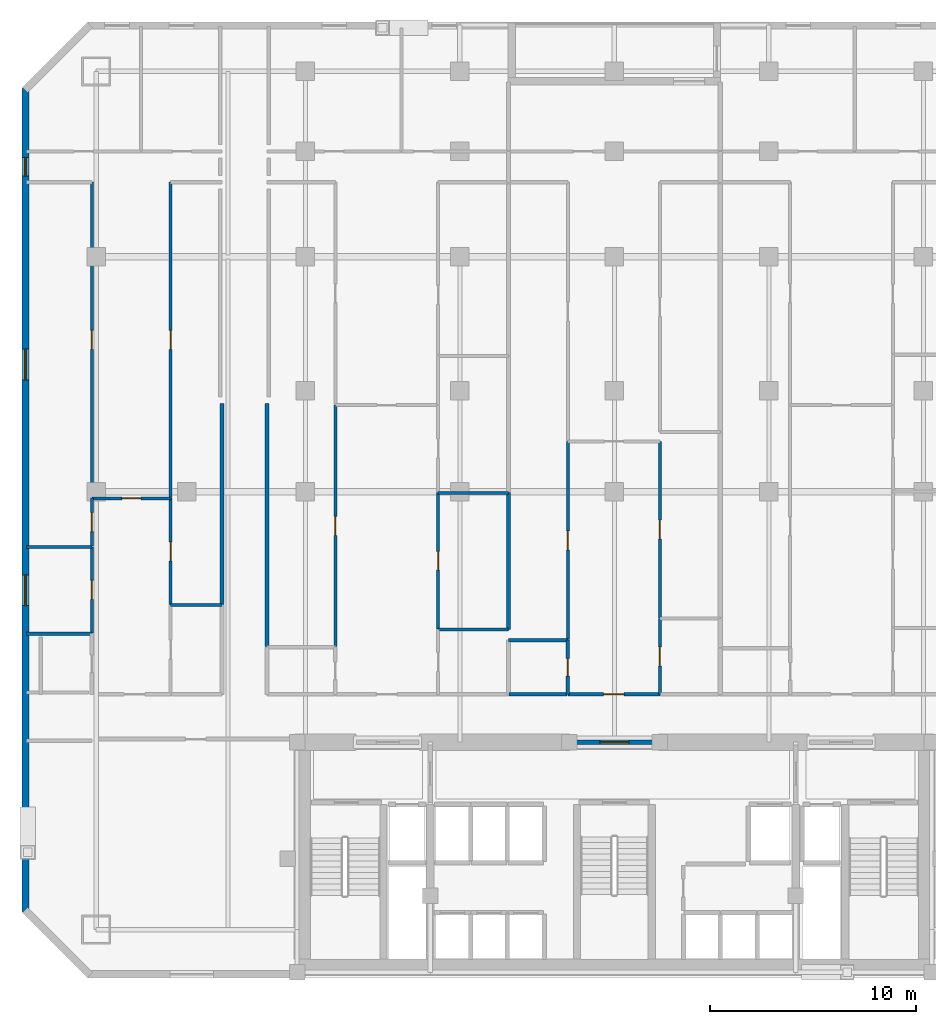
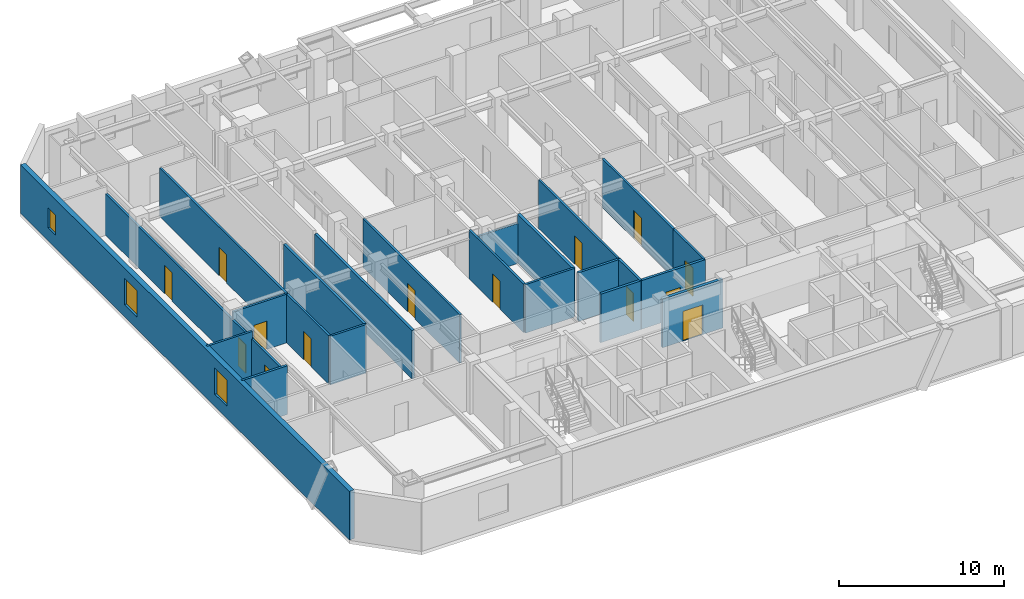
# One storey, part 4 of 10: 25 walls, 14 doors, 3 windows, 17 openings.
"""IFC4 building model written with IfcOpenShell, lengths in metres."""

from ifc_helpers import new_model, si_unit, direction, frame, frame_2d, origin, place, context, subcontext, project, spatial, rectangle, extrude, material, layer, layer_set, type_object, element, fill, save


model = new_model("IFC4")

# Units and contexts
model_context = context("Model", 3, precision=1e-05, world=origin(), true_north=direction((0.0, 1.0)))
body_context = subcontext(model_context, "Body", "Model", "MODEL_VIEW")
ifc_project = project(units=[si_unit("LENGTHUNIT", "METRE"), si_unit("AREAUNIT", "SQUARE_METRE"), si_unit("VOLUMEUNIT", "CUBIC_METRE"), si_unit("PLANEANGLEUNIT", "RADIAN"), si_unit("MASSUNIT", "GRAM", prefix="KILO")], contexts=[model_context])

# Site, building, storey
site_placement = place(None, origin())
site = spatial("IfcSite", under=ifc_project, at=site_placement, CompositionType="ELEMENT")
building_placement = place(site_placement, origin())
building = spatial("IfcBuilding", under=site, at=building_placement, Name="Ventersveld Concourse Tower", CompositionType="ELEMENT")
storey_placement = place(building_placement, frame((0.0, 0.0, 49.050048828125)))
storey = spatial("IfcBuildingStorey", under=building, at=storey_placement, Name="L11", CompositionType="ELEMENT", Elevation=49.050048828125)

# Walls
ifc_material_1 = material(Name="Fire-rated autoclaved aerated masonry blockwork", Category="masonry")
ifc_layer_1 = layer(ifc_material_1, 0.179931640625)
ifc_layer_set_1 = layer_set([ifc_layer_1], Name="Fire-rated autoclaved aerated masonry blockwork")
wall_type_1 = type_object("IfcWallType", Name="WL-CORR-180", PredefinedType="PARTITIONING", material=ifc_layer_set_1)
wall_1_placement = place(storey_placement, frame((9.7099609375, 18.1357421875, 0.0), z_axis=(0.0, 0.0, 1.0), x_axis=(0.0, 1.0, 0.0)))
element("IfcWall", 1, at=wall_1_placement, inside=storey, type_object=wall_type_1, Name="L11 Interior Partition SP-L11-COR-SP-L11-11NW-DENR", PredefinedType="PARTITIONING", context=body_context, shape_type="SweptSolid", body=[
    extrude(rectangle(XDim=9.75927734375, YDim=0.179931640625, at=frame_2d((4.879638671875, 0.0))), origin(), (0.0, 0.0, 1.0), 3.599853515625),
])
wall_2_placement = place(storey_placement, frame((11.889892578125, 16.085693359375, 0.0), z_axis=(0.0, 0.0, 1.0), x_axis=(0.0, 1.0, 0.0)))
element("IfcWall", 2, at=wall_2_placement, inside=storey, type_object=wall_type_1, Name="L11 Interior Partition SP-L11-COR-SP-L11-11CW-MEDL0", PredefinedType="PARTITIONING", context=body_context, shape_type="SweptSolid", body=[
    extrude(rectangle(XDim=11.809326171875, YDim=0.179931640625, at=frame_2d((5.90478515625, 0.0))), origin(), (0.0, 0.0, 1.0), 3.599853515625),
])

# Wall, opening, door
wall_3_placement = place(storey_placement, frame((26.490966796875, 13.77001953125, 0.0), z_axis=(0.0, 0.0, 1.0), x_axis=(1.0, 0.0, 0.0)))
wall_3 = element("IfcWall", 3, at=wall_3_placement, inside=storey, type_object=wall_type_1, Name="L11 Interior Partition SP-L11-COR-SP-L11-11CM-FOY", PredefinedType="PARTITIONING", context=body_context, shape_type="SweptSolid", body=[
    extrude(rectangle(XDim=4.47607421875, YDim=0.179931640625, at=frame_2d((2.238037109375, 0.0))), origin(), (0.0, 0.0, 1.0), 3.599853515625),
])
opening_1_placement = place(wall_3_placement, frame((1.738037109375, 0.0, 0.0)))
opening_1 = element("IfcOpeningElement", 4, at=opening_1_placement, cuts=wall_3, Name="Opening FD3", PredefinedType="OPENING", context=body_context, shape_type="SweptSolid", body=[
    extrude(rectangle(XDim=1.0, YDim=2.14990234375, at=frame_2d((0.5, 1.074951171875))), frame((0.0, 0.10009765625, 0.0), z_axis=(0.0, -1.0, 0.0), x_axis=(1.0, 0.0, 0.0)), (0.0, 0.0, 1.0), 0.199951171875),
])
ifc_material_2 = material(Name="Solid-core hardwood veneer timber", Category="wood")
door_type_1 = type_object("IfcDoorType", Name="DR-FLAT-100", OperationType="NOTDEFINED", PredefinedType="DOOR", material=ifc_material_2)
door_1_placement = place(opening_1_placement, origin())
door_1 = element("IfcDoor", 5, at=door_1_placement, inside=storey, type_object=door_type_1, Name="L11 Interior Door SP-L11-COR to SP-L11-11CM-FOY (FD-L11-0426)", OperationType="SINGLE_SWING_RIGHT", OverallHeight=2.14990234375, OverallWidth=1.0, PredefinedType="DOOR", context=body_context, shape_type="SweptSolid", body=[
    extrude(rectangle(XDim=1.0, YDim=2.14990234375, at=frame_2d((0.5, 1.074951171875))), frame((0.0, 0.02490234375, 0.0), z_axis=(0.0, -1.0, 0.0), x_axis=(1.0, 0.0, 0.0)), (0.0, 0.0, 1.0), 0.050048828125),
])
fill(opening_1, door_1)

# Walls
wall_4_placement = place(storey_placement, frame((23.64501953125, 13.77001953125, 0.0), z_axis=(0.0, 0.0, 1.0), x_axis=(1.0, 0.0, 0.0)))
element("IfcWall", 6, at=wall_4_placement, inside=storey, type_object=wall_type_1, Name="L11 Interior Partition SP-L11-COR-SP-L11-11CM-BATH", PredefinedType="PARTITIONING", context=body_context, shape_type="SweptSolid", body=[
    extrude(rectangle(XDim=2.81591796875, YDim=0.179931640625, at=frame_2d((1.407958984375, 0.0))), origin(), (0.0, 0.0, 1.0), 3.599853515625),
])
ifc_layer_2 = layer(ifc_material_1, 0.199951171875)
ifc_layer_set_2 = layer_set([ifc_layer_2], Name="Fire-rated autoclaved aerated masonry blockwork")
wall_type_2 = type_object("IfcWallType", Name="WL-DEMISE-200", PredefinedType="PARTITIONING", material=ifc_layer_set_2)
wall_5_placement = place(storey_placement, frame((23.610107421875, 16.909912109375, 0.0), z_axis=(0.0, 0.0, 1.0), x_axis=(0.0, 1.0, 0.0)))
element("IfcWall", 7, at=wall_5_placement, inside=storey, type_object=wall_type_2, Name="L11 Interior Partition SP-L11-11CW-DENR-SP-L11-11CM-DENL", PredefinedType="PARTITIONING", context=body_context, shape_type="SweptSolid", body=[
    extrude(rectangle(XDim=6.642822265625, YDim=0.199951171875, at=frame_2d((3.3212890625, 0.0))), origin(), (0.0, 0.0, 1.0), 3.599853515625),
])

# Wall, opening, door
ifc_layer_3 = layer(ifc_material_1, 0.219970703125)
ifc_layer_set_3 = layer_set([ifc_layer_3], Name="Fire-rated autoclaved aerated masonry blockwork")
wall_type_3 = type_object("IfcWallType", Name="WL-HOIST-220", PredefinedType="SOLIDWALL", material=ifc_layer_set_3)
wall_6_placement = place(storey_placement, frame((26.6298828125, 11.449951171875, 0.0), z_axis=(0.0, 0.0, 1.0), x_axis=(1.0, 0.0, 0.0)))
wall_6 = element("IfcWall", 8, at=wall_6_placement, inside=storey, type_object=wall_type_3, Name="L11 Core North Fire Portal PLOB-OUT", PredefinedType="SOLIDWALL", context=body_context, shape_type="SweptSolid", body=[
    extrude(rectangle(XDim=4.240234375, YDim=0.219970703125, at=frame_2d((2.1201171875, 0.0))), origin(), (0.0, 0.0, 1.0), 3.599853515625),
])
opening_2_placement = place(wall_6_placement, frame((1.419921875, 0.0, 0.0)))
opening_2 = element("IfcOpeningElement", 9, at=opening_2_placement, cuts=wall_6, Name="Opening FD4", PredefinedType="OPENING", context=body_context, shape_type="SweptSolid", body=[
    extrude(rectangle(XDim=1.39990234375, YDim=2.199951171875, at=frame_2d((0.699951171875, 1.10009765625))), frame((0.0, 0.1201171875, 0.0), z_axis=(0.0, -1.0, 0.0), x_axis=(1.0, 0.0, 0.0)), (0.0, 0.0, 1.0), 0.239990234375),
])
ifc_material_3 = material(Name="Galvanised painted steel", Category="steel")
door_type_2 = type_object("IfcDoorType", Name="DR-PLANT-140", OperationType="DOUBLE_DOOR_SINGLE_SWING", PredefinedType="DOOR", material=ifc_material_3)
door_2_placement = place(opening_2_placement, origin())
door_2 = element("IfcDoor", 10, at=door_2_placement, inside=storey, type_object=door_type_2, Name="L11 Core Lobby Fire Door PLOB-OUT (FD-L11-0417)", OperationType="DOUBLE_DOOR_SINGLE_SWING", OverallHeight=2.199951171875, OverallWidth=1.39990234375, PredefinedType="DOOR", context=body_context, shape_type="SweptSolid", body=[
    extrude(rectangle(XDim=1.39990234375, YDim=2.199951171875, at=frame_2d((0.699951171875, 1.10009765625))), frame((0.0, 0.02490234375, 0.0), z_axis=(0.0, -1.0, 0.0), x_axis=(1.0, 0.0, 0.0)), (0.0, 0.0, 1.0), 0.050048828125),
])
fill(opening_2, door_2)

ifc_material_4 = material(Name="Autoclaved aerated masonry blockwork", Category="masonry")
ifc_layer_4 = layer(ifc_material_4, 0.14990234375)
ifc_layer_set_4 = layer_set([ifc_layer_4], Name="Autoclaved aerated masonry blockwork")
wall_type_4 = type_object("IfcWallType", Name="WL-INT-150", PredefinedType="PARTITIONING", material=ifc_layer_set_4)
wall_7_placement = place(storey_placement, frame((3.39013671875, 23.2822265625, 0.0), z_axis=(0.0, 0.0, 1.0), x_axis=(1.0, 0.0, 0.0)))
wall_7 = element("IfcWall", 11, at=wall_7_placement, inside=storey, type_object=wall_type_4, Name="L11 Interior Partition SP-L11-11NW-FOY-SP-L11-11NW-LIV", PredefinedType="PARTITIONING", context=body_context, shape_type="SweptSolid", body=[
    extrude(rectangle(XDim=3.83203125, YDim=0.14990234375, at=frame_2d((1.916015625, 0.0))), origin(), (0.0, 0.0, 1.0), 3.599853515625),
])
opening_3_placement = place(wall_7_placement, frame((1.4560546875, 0.0, 0.0)))
opening_3 = element("IfcOpeningElement", 12, at=opening_3_placement, cuts=wall_7, Name="Opening ID1", PredefinedType="OPENING", context=body_context, shape_type="SweptSolid", body=[
    extrude(rectangle(XDim=0.919921875, YDim=2.10009765625, at=frame_2d((0.4599609375, 1.050048828125))), frame((0.0, 0.0849609375, 0.0), z_axis=(0.0, -1.0, 0.0), x_axis=(1.0, 0.0, 0.0)), (0.0, 0.0, 1.0), 0.169921875),
])
door_type_3 = type_object("IfcDoorType", Name="DR-ROOM-092", OperationType="NOTDEFINED", PredefinedType="DOOR", material=ifc_material_2)
door_3_placement = place(opening_3_placement, origin())
door_3 = element("IfcDoor", 13, at=door_3_placement, inside=storey, type_object=door_type_3, Name="L11 Interior Door SP-L11-11NW-FOY to SP-L11-11NW-LIV (D-L11-0427)", OperationType="SINGLE_SWING_LEFT", OverallHeight=2.10009765625, OverallWidth=0.919921875, PredefinedType="DOOR", context=body_context, shape_type="SweptSolid", body=[
    extrude(rectangle(XDim=0.919921875, YDim=2.10009765625, at=frame_2d((0.4599609375, 1.050048828125))), frame((0.0, 0.02490234375, 0.0), z_axis=(0.0, -1.0, 0.0), x_axis=(1.0, 0.0, 0.0)), (0.0, 0.0, 1.0), 0.050048828125),
])
fill(opening_3, door_3)

wall_8_placement = place(storey_placement, frame((3.395263671875, 16.752197265625, 0.0), z_axis=(0.0, 0.0, 1.0), x_axis=(0.0, 1.0, 0.0)))
wall_8 = element("IfcWall", 14, at=wall_8_placement, inside=storey, type_object=wall_type_4, Name="L11 Interior Partition SP-L11-11NW-FOY-SP-L11-11NW-PANL0", PredefinedType="PARTITIONING", context=body_context, shape_type="SweptSolid", body=[
    extrude(rectangle(XDim=4.1748046875, YDim=0.14990234375, at=frame_2d((2.08740234375, 0.0))), origin(), (0.0, 0.0, 1.0), 3.055419921875),
])
opening_4_placement = place(wall_8_placement, frame((1.62744140625, 0.0, 0.0)))
opening_4 = element("IfcOpeningElement", 15, at=opening_4_placement, cuts=wall_8, Name="Opening ID1", PredefinedType="OPENING", context=body_context, shape_type="SweptSolid", body=[
    extrude(rectangle(XDim=0.919921875, YDim=2.10009765625, at=frame_2d((0.4599609375, 1.050048828125))), frame((0.0, 0.0849609375, 0.0), z_axis=(0.0, -1.0, 0.0), x_axis=(1.0, 0.0, 0.0)), (0.0, 0.0, 1.0), 0.169921875),
])
door_4_placement = place(opening_4_placement, origin())
door_4 = element("IfcDoor", 16, at=door_4_placement, inside=storey, type_object=door_type_3, Name="L11 Interior Door SP-L11-11NW-FOY to SP-L11-11NW-PANL0 (D-L11-0429)", OperationType="SINGLE_SWING_LEFT", OverallHeight=2.10009765625, OverallWidth=0.919921875, PredefinedType="DOOR", context=body_context, shape_type="SweptSolid", body=[
    extrude(rectangle(XDim=0.919921875, YDim=2.10009765625, at=frame_2d((0.4599609375, 1.050048828125))), frame((0.0, 0.02490234375, 0.0), z_axis=(0.0, -1.0, 0.0), x_axis=(1.0, 0.0, 0.0)), (0.0, 0.0, 1.0), 0.050048828125),
])
fill(opening_4, door_4)

wall_9_placement = place(storey_placement, frame((3.395263671875, 20.956787109375, 0.0), z_axis=(0.0, 0.0, 1.0), x_axis=(0.0, 1.0, 0.0)))
wall_9 = element("IfcWall", 17, at=wall_9_placement, inside=storey, type_object=wall_type_4, Name="L11 Interior Partition SP-L11-11NW-FOY-SP-L11-11NW-DENL", PredefinedType="PARTITIONING", context=body_context, shape_type="SweptSolid", body=[
    extrude(rectangle(XDim=2.330322265625, YDim=0.14990234375, at=frame_2d((1.1650390625, 0.0))), origin(), (0.0, 0.0, 1.0), 3.055419921875),
])
opening_5_placement = place(wall_9_placement, frame((0.705078125, 0.0, 0.0)))
opening_5 = element("IfcOpeningElement", 18, at=opening_5_placement, cuts=wall_9, Name="Opening ID1", PredefinedType="OPENING", context=body_context, shape_type="SweptSolid", body=[
    extrude(rectangle(XDim=0.919921875, YDim=2.10009765625, at=frame_2d((0.4599609375, 1.050048828125))), frame((0.0, 0.0849609375, 0.0), z_axis=(0.0, -1.0, 0.0), x_axis=(1.0, 0.0, 0.0)), (0.0, 0.0, 1.0), 0.169921875),
])
door_5_placement = place(opening_5_placement, origin())
door_5 = element("IfcDoor", 19, at=door_5_placement, inside=storey, type_object=door_type_3, Name="L11 Interior Door SP-L11-11NW-FOY to SP-L11-11NW-DENL (D-L11-0430)", OperationType="SINGLE_SWING_RIGHT", OverallHeight=2.10009765625, OverallWidth=0.919921875, PredefinedType="DOOR", context=body_context, shape_type="SweptSolid", body=[
    extrude(rectangle(XDim=0.919921875, YDim=2.10009765625, at=frame_2d((0.4599609375, 1.050048828125))), frame((0.0, 0.02490234375, 0.0), z_axis=(0.0, -1.0, 0.0), x_axis=(1.0, 0.0, 0.0)), (0.0, 0.0, 1.0), 0.050048828125),
])
fill(opening_5, door_5)

wall_10_placement = place(storey_placement, frame((7.21728515625, 18.1357421875, 0.0), z_axis=(0.0, 0.0, 1.0), x_axis=(0.0, 1.0, 0.0)))
wall_10 = element("IfcWall", 20, at=wall_10_placement, inside=storey, type_object=wall_type_4, Name="L11 Interior Partition SP-L11-11NW-FOY-SP-L11-11NW-DENR", PredefinedType="PARTITIONING", context=body_context, shape_type="SweptSolid", body=[
    extrude(rectangle(XDim=5.1513671875, YDim=0.14990234375, at=frame_2d((2.57568359375, 0.0))), origin(), (0.0, 0.0, 1.0), 3.599853515625),
])
opening_6_placement = place(wall_10_placement, frame((2.11572265625, 0.0, 0.0)))
opening_6 = element("IfcOpeningElement", 21, at=opening_6_placement, cuts=wall_10, Name="Opening ID1", PredefinedType="OPENING", context=body_context, shape_type="SweptSolid", body=[
    extrude(rectangle(XDim=0.919921875, YDim=2.10009765625, at=frame_2d((0.4599609375, 1.050048828125))), frame((0.0, 0.0849609375, 0.0), z_axis=(0.0, -1.0, 0.0), x_axis=(1.0, 0.0, 0.0)), (0.0, 0.0, 1.0), 0.169921875),
])
door_6_placement = place(opening_6_placement, origin())
door_6 = element("IfcDoor", 22, at=door_6_placement, inside=storey, type_object=door_type_3, Name="L11 Interior Door SP-L11-11NW-FOY to SP-L11-11NW-DENR (D-L11-0432)", OperationType="SINGLE_SWING_RIGHT", OverallHeight=2.10009765625, OverallWidth=0.919921875, PredefinedType="DOOR", context=body_context, shape_type="SweptSolid", body=[
    extrude(rectangle(XDim=0.919921875, YDim=2.10009765625, at=frame_2d((0.4599609375, 1.050048828125))), frame((0.0, 0.02490234375, 0.0), z_axis=(0.0, -1.0, 0.0), x_axis=(1.0, 0.0, 0.0)), (0.0, 0.0, 1.0), 0.050048828125),
])
fill(opening_6, door_6)

wall_11_placement = place(storey_placement, frame((3.395263671875, 23.317138671875, 0.0), z_axis=(0.0, 0.0, 1.0), x_axis=(0.0, 1.0, 0.0)))
wall_11 = element("IfcWall", 23, at=wall_11_placement, inside=storey, type_object=wall_type_4, Name="L11 Interior Partition SP-L11-11NW-LIV-SP-L11-11NW-DENL", PredefinedType="PARTITIONING", context=body_context, shape_type="SweptSolid", body=[
    extrude(rectangle(XDim=15.307861328125, YDim=0.14990234375, at=frame_2d((7.65380859375, 0.0))), origin(), (0.0, 0.0, 1.0), 3.055419921875),
])
opening_7_placement = place(wall_11_placement, frame((7.19384765625, 0.0, 0.0)))
opening_7 = element("IfcOpeningElement", 24, at=opening_7_placement, cuts=wall_11, Name="Opening ID1", PredefinedType="OPENING", context=body_context, shape_type="SweptSolid", body=[
    extrude(rectangle(XDim=0.919921875, YDim=2.10009765625, at=frame_2d((0.4599609375, 1.050048828125))), frame((0.0, 0.0849609375, 0.0), z_axis=(0.0, -1.0, 0.0), x_axis=(1.0, 0.0, 0.0)), (0.0, 0.0, 1.0), 0.169921875),
])
door_7_placement = place(opening_7_placement, origin())
door_7 = element("IfcDoor", 25, at=door_7_placement, inside=storey, type_object=door_type_3, Name="L11 Interior Door SP-L11-11NW-LIV to SP-L11-11NW-DENL (D-L11-0433)", OperationType="SINGLE_SWING_LEFT", OverallHeight=2.10009765625, OverallWidth=0.919921875, PredefinedType="DOOR", context=body_context, shape_type="SweptSolid", body=[
    extrude(rectangle(XDim=0.919921875, YDim=2.10009765625, at=frame_2d((0.4599609375, 1.050048828125))), frame((0.0, 0.02490234375, 0.0), z_axis=(0.0, -1.0, 0.0), x_axis=(1.0, 0.0, 0.0)), (0.0, 0.0, 1.0), 0.050048828125),
])
fill(opening_7, door_7)

wall_12_placement = place(storey_placement, frame((7.21728515625, 23.317138671875, 0.0), z_axis=(0.0, 0.0, 1.0), x_axis=(0.0, 1.0, 0.0)))
wall_12 = element("IfcWall", 26, at=wall_12_placement, inside=storey, type_object=wall_type_4, Name="L11 Interior Partition SP-L11-11NW-LIV-SP-L11-11NW-DENR", PredefinedType="PARTITIONING", context=body_context, shape_type="SweptSolid", body=[
    extrude(rectangle(XDim=15.307861328125, YDim=0.14990234375, at=frame_2d((7.65380859375, 0.0))), origin(), (0.0, 0.0, 1.0), 3.599853515625),
])
opening_8_placement = place(wall_12_placement, frame((7.19384765625, 0.0, 0.0)))
opening_8 = element("IfcOpeningElement", 27, at=opening_8_placement, cuts=wall_12, Name="Opening ID1", PredefinedType="OPENING", context=body_context, shape_type="SweptSolid", body=[
    extrude(rectangle(XDim=0.919921875, YDim=2.10009765625, at=frame_2d((0.4599609375, 1.050048828125))), frame((0.0, 0.0849609375, 0.0), z_axis=(0.0, -1.0, 0.0), x_axis=(1.0, 0.0, 0.0)), (0.0, 0.0, 1.0), 0.169921875),
])
door_8_placement = place(opening_8_placement, origin())
door_8 = element("IfcDoor", 28, at=door_8_placement, inside=storey, type_object=door_type_3, Name="L11 Interior Door SP-L11-11NW-LIV to SP-L11-11NW-DENR (D-L11-0434)", OperationType="SINGLE_SWING_RIGHT", OverallHeight=2.10009765625, OverallWidth=0.919921875, PredefinedType="DOOR", context=body_context, shape_type="SweptSolid", body=[
    extrude(rectangle(XDim=0.919921875, YDim=2.10009765625, at=frame_2d((0.4599609375, 1.050048828125))), frame((0.0, 0.02490234375, 0.0), z_axis=(0.0, -1.0, 0.0), x_axis=(1.0, 0.0, 0.0)), (0.0, 0.0, 1.0), 0.050048828125),
])
fill(opening_8, door_8)

# Walls
wall_13_placement = place(storey_placement, frame((0.2099609375, 20.921875, 0.0), z_axis=(0.0, 0.0, 1.0), x_axis=(1.0, 0.0, 0.0)))
element("IfcWall", 29, at=wall_13_placement, inside=storey, type_object=wall_type_4, Name="L11 Interior Partition SP-L11-11NW-PANL0-SP-L11-11NW-DENL", PredefinedType="PARTITIONING", context=body_context, shape_type="SweptSolid", body=[
    extrude(rectangle(XDim=3.190185546875, YDim=0.14990234375, at=frame_2d((1.59521484375, 0.0))), origin(), (0.0, 0.0, 1.0), 3.599853515625),
])
wall_14_placement = place(storey_placement, frame((7.212158203125, 18.100830078125, 0.0), z_axis=(0.0, 0.0, 1.0), x_axis=(1.0, 0.0, 0.0)))
element("IfcWall", 30, at=wall_14_placement, inside=storey, type_object=wall_type_4, Name="L11 Interior Partition SP-L11-11NW-KIT-SP-L11-11NW-DENR", PredefinedType="PARTITIONING", context=body_context, shape_type="SweptSolid", body=[
    extrude(rectangle(XDim=2.5029296875, YDim=0.14990234375, at=frame_2d((1.25146484375, 0.0))), origin(), (0.0, 0.0, 1.0), 3.599853515625),
])

# Wall, opening, door
wall_15_placement = place(storey_placement, frame((15.2119140625, 16.085693359375, 0.0), z_axis=(0.0, 0.0, 1.0), x_axis=(0.0, 1.0, 0.0)))
wall_15 = element("IfcWall", 31, at=wall_15_placement, inside=storey, type_object=wall_type_4, Name="L11 Interior Partition SP-L11-11CW-FOY-SP-L11-11CW-MEDL0", PredefinedType="PARTITIONING", context=body_context, shape_type="SweptSolid", body=[
    extrude(rectangle(XDim=11.72607421875, YDim=0.14990234375, at=frame_2d((5.863037109375, 0.0))), origin(), (0.0, 0.0, 1.0), 3.599853515625),
])
opening_9_placement = place(wall_15_placement, frame((5.403076171875, 0.0, 0.0)))
opening_9 = element("IfcOpeningElement", 32, at=opening_9_placement, cuts=wall_15, Name="Opening ID1", PredefinedType="OPENING", context=body_context, shape_type="SweptSolid", body=[
    extrude(rectangle(XDim=0.919921875, YDim=2.10009765625, at=frame_2d((0.4599609375, 1.050048828125))), frame((0.0, 0.0849609375, 0.0), z_axis=(0.0, -1.0, 0.0), x_axis=(1.0, 0.0, 0.0)), (0.0, 0.0, 1.0), 0.169921875),
])
door_9_placement = place(opening_9_placement, origin())
door_9 = element("IfcDoor", 33, at=door_9_placement, inside=storey, type_object=door_type_3, Name="L11 Interior Door SP-L11-11CW-FOY to SP-L11-11CW-MEDL0 (D-L11-0449)", OperationType="SINGLE_SWING_LEFT", OverallHeight=2.10009765625, OverallWidth=0.919921875, PredefinedType="DOOR", context=body_context, shape_type="SweptSolid", body=[
    extrude(rectangle(XDim=0.919921875, YDim=2.10009765625, at=frame_2d((0.4599609375, 1.050048828125))), frame((0.0, 0.02490234375, 0.0), z_axis=(0.0, -1.0, 0.0), x_axis=(1.0, 0.0, 0.0)), (0.0, 0.0, 1.0), 0.050048828125),
])
fill(opening_9, door_9)

wall_16_placement = place(storey_placement, frame((20.19189453125, 16.94970703125, 0.0), z_axis=(0.0, 0.0, 1.0), x_axis=(0.0, 1.0, 0.0)))
wall_16 = element("IfcWall", 34, at=wall_16_placement, inside=storey, type_object=wall_type_4, Name="L11 Interior Partition SP-L11-11CW-FOY-SP-L11-11CW-DENR", PredefinedType="PARTITIONING", context=body_context, shape_type="SweptSolid", body=[
    extrude(rectangle(XDim=6.60302734375, YDim=0.14990234375, at=frame_2d((3.301513671875, 0.0))), origin(), (0.0, 0.0, 1.0), 3.599853515625),
])
opening_10_placement = place(wall_16_placement, frame((2.841552734375, 0.0, 0.0)))
opening_10 = element("IfcOpeningElement", 35, at=opening_10_placement, cuts=wall_16, Name="Opening ID1", PredefinedType="OPENING", context=body_context, shape_type="SweptSolid", body=[
    extrude(rectangle(XDim=0.919921875, YDim=2.10009765625, at=frame_2d((0.4599609375, 1.050048828125))), frame((0.0, 0.0849609375, 0.0), z_axis=(0.0, -1.0, 0.0), x_axis=(1.0, 0.0, 0.0)), (0.0, 0.0, 1.0), 0.169921875),
])
door_10_placement = place(opening_10_placement, origin())
door_10 = element("IfcDoor", 36, at=door_10_placement, inside=storey, type_object=door_type_3, Name="L11 Interior Door SP-L11-11CW-FOY to SP-L11-11CW-DENR (D-L11-0451)", OperationType="SINGLE_SWING_LEFT", OverallHeight=2.10009765625, OverallWidth=0.919921875, PredefinedType="DOOR", context=body_context, shape_type="SweptSolid", body=[
    extrude(rectangle(XDim=0.919921875, YDim=2.10009765625, at=frame_2d((0.4599609375, 1.050048828125))), frame((0.0, 0.02490234375, 0.0), z_axis=(0.0, -1.0, 0.0), x_axis=(1.0, 0.0, 0.0)), (0.0, 0.0, 1.0), 0.050048828125),
])
fill(opening_10, door_10)

# Walls
wall_17_placement = place(storey_placement, frame((20.18701171875, 16.914794921875, 0.0), z_axis=(0.0, 0.0, 1.0), x_axis=(1.0, 0.0, 0.0)))
element("IfcWall", 37, at=wall_17_placement, inside=storey, type_object=wall_type_4, Name="L11 Interior Partition SP-L11-11CW-KIT-SP-L11-11CW-DENR", PredefinedType="PARTITIONING", context=body_context, shape_type="SweptSolid", body=[
    extrude(rectangle(XDim=3.427978515625, YDim=0.14990234375, at=frame_2d((1.7138671875, 0.0))), origin(), (0.0, 0.0, 1.0), 3.599853515625),
])
wall_18_placement = place(storey_placement, frame((20.18701171875, 23.547607421875, 0.0), z_axis=(0.0, 0.0, 1.0), x_axis=(1.0, 0.0, 0.0)))
element("IfcWall", 38, at=wall_18_placement, inside=storey, type_object=wall_type_4, Name="L11 Interior Partition SP-L11-11CW-DENR-SP-L11-11CW-DENS", PredefinedType="PARTITIONING", context=body_context, shape_type="SweptSolid", body=[
    extrude(rectangle(XDim=3.427978515625, YDim=0.14990234375, at=frame_2d((1.7138671875, 0.0))), origin(), (0.0, 0.0, 1.0), 2.964111328125),
])

# Wall, opening, door
wall_19_placement = place(storey_placement, frame((26.49609375, 16.424072265625, 0.0), z_axis=(0.0, 0.0, 1.0), x_axis=(0.0, 1.0, 0.0)))
wall_19 = element("IfcWall", 39, at=wall_19_placement, inside=storey, type_object=wall_type_4, Name="L11 Interior Partition SP-L11-11CM-FOY-SP-L11-11CM-DENL", PredefinedType="PARTITIONING", context=body_context, shape_type="SweptSolid", body=[
    extrude(rectangle(XDim=9.6259765625, YDim=0.14990234375, at=frame_2d((4.81298828125, 0.0))), origin(), (0.0, 0.0, 1.0), 3.599853515625),
])
opening_11_placement = place(wall_19_placement, frame((4.35302734375, 0.0, 0.0)))
opening_11 = element("IfcOpeningElement", 40, at=opening_11_placement, cuts=wall_19, Name="Opening ID1", PredefinedType="OPENING", context=body_context, shape_type="SweptSolid", body=[
    extrude(rectangle(XDim=0.919921875, YDim=2.10009765625, at=frame_2d((0.4599609375, 1.050048828125))), frame((0.0, 0.0849609375, 0.0), z_axis=(0.0, -1.0, 0.0), x_axis=(1.0, 0.0, 0.0)), (0.0, 0.0, 1.0), 0.169921875),
])
door_11_placement = place(opening_11_placement, origin())
door_11 = element("IfcDoor", 41, at=door_11_placement, inside=storey, type_object=door_type_3, Name="L11 Interior Door SP-L11-11CM-FOY to SP-L11-11CM-DENL (D-L11-0471)", OperationType="SINGLE_SWING_LEFT", OverallHeight=2.10009765625, OverallWidth=0.919921875, PredefinedType="DOOR", context=body_context, shape_type="SweptSolid", body=[
    extrude(rectangle(XDim=0.919921875, YDim=2.10009765625, at=frame_2d((0.4599609375, 1.050048828125))), frame((0.0, 0.02490234375, 0.0), z_axis=(0.0, -1.0, 0.0), x_axis=(1.0, 0.0, 0.0)), (0.0, 0.0, 1.0), 0.050048828125),
])
fill(opening_11, door_11)

wall_20_placement = place(storey_placement, frame((30.9619140625, 13.764892578125, 0.0), z_axis=(0.0, 0.0, 1.0), x_axis=(0.0, 1.0, 0.0)))
wall_20 = element("IfcWall", 42, at=wall_20_placement, inside=storey, type_object=wall_type_4, Name="L11 Interior Partition SP-L11-11CM-FOY-SP-L11-11CM-KIT", PredefinedType="PARTITIONING", context=body_context, shape_type="SweptSolid", body=[
    extrude(rectangle(XDim=3.68359375, YDim=0.14990234375, at=frame_2d((1.841796875, 0.0))), origin(), (0.0, 0.0, 1.0), 3.599853515625),
])
opening_12_placement = place(wall_20_placement, frame((1.381591796875, 0.0, 0.0)))
opening_12 = element("IfcOpeningElement", 43, at=opening_12_placement, cuts=wall_20, Name="Opening ID1", PredefinedType="OPENING", context=body_context, shape_type="SweptSolid", body=[
    extrude(rectangle(XDim=0.919921875, YDim=2.10009765625, at=frame_2d((0.4599609375, 1.050048828125))), frame((0.0, 0.0849609375, 0.0), z_axis=(0.0, -1.0, 0.0), x_axis=(1.0, 0.0, 0.0)), (0.0, 0.0, 1.0), 0.169921875),
])
door_12_placement = place(opening_12_placement, origin())
door_12 = element("IfcDoor", 44, at=door_12_placement, inside=storey, type_object=door_type_3, Name="L11 Interior Door SP-L11-11CM-FOY to SP-L11-11CM-KIT (D-L11-0472)", OperationType="SINGLE_SWING_RIGHT", OverallHeight=2.10009765625, OverallWidth=0.919921875, PredefinedType="DOOR", context=body_context, shape_type="SweptSolid", body=[
    extrude(rectangle(XDim=0.919921875, YDim=2.10009765625, at=frame_2d((0.4599609375, 1.050048828125))), frame((0.0, 0.02490234375, 0.0), z_axis=(0.0, -1.0, 0.0), x_axis=(1.0, 0.0, 0.0)), (0.0, 0.0, 1.0), 0.050048828125),
])
fill(opening_12, door_12)

wall_21_placement = place(storey_placement, frame((30.9619140625, 17.478515625, 0.0), z_axis=(0.0, 0.0, 1.0), x_axis=(0.0, 1.0, 0.0)))
wall_21 = element("IfcWall", 45, at=wall_21_placement, inside=storey, type_object=wall_type_4, Name="L11 Interior Partition SP-L11-11CM-FOY-SP-L11-11CM-DENR", PredefinedType="PARTITIONING", context=body_context, shape_type="SweptSolid", body=[
    extrude(rectangle(XDim=8.571533203125, YDim=0.14990234375, at=frame_2d((4.28564453125, 0.0))), origin(), (0.0, 0.0, 1.0), 3.599853515625),
])
opening_13_placement = place(wall_21_placement, frame((3.82568359375, 0.0, 0.0)))
opening_13 = element("IfcOpeningElement", 46, at=opening_13_placement, cuts=wall_21, Name="Opening ID1", PredefinedType="OPENING", context=body_context, shape_type="SweptSolid", body=[
    extrude(rectangle(XDim=0.919921875, YDim=2.10009765625, at=frame_2d((0.4599609375, 1.050048828125))), frame((0.0, 0.0849609375, 0.0), z_axis=(0.0, -1.0, 0.0), x_axis=(1.0, 0.0, 0.0)), (0.0, 0.0, 1.0), 0.169921875),
])
door_13_placement = place(opening_13_placement, origin())
door_13 = element("IfcDoor", 47, at=door_13_placement, inside=storey, type_object=door_type_3, Name="L11 Interior Door SP-L11-11CM-FOY to SP-L11-11CM-DENR (D-L11-0473)", OperationType="SINGLE_SWING_LEFT", OverallHeight=2.10009765625, OverallWidth=0.919921875, PredefinedType="DOOR", context=body_context, shape_type="SweptSolid", body=[
    extrude(rectangle(XDim=0.919921875, YDim=2.10009765625, at=frame_2d((0.4599609375, 1.050048828125))), frame((0.0, 0.02490234375, 0.0), z_axis=(0.0, -1.0, 0.0), x_axis=(1.0, 0.0, 0.0)), (0.0, 0.0, 1.0), 0.050048828125),
])
fill(opening_13, door_13)

# Wall, openings, windows
ifc_material_5 = material(Name="Precast concrete C45/55", Category="concrete")
ifc_layer_5 = layer(ifc_material_5, 0.35009765625)
ifc_layer_set_5 = layer_set([ifc_layer_5], Name="Precast concrete C45/55")
wall_type_5 = type_object("IfcWallType", Name="WL-PREC-350", PredefinedType="SOLIDWALL", material=ifc_layer_set_5)
wall_22_placement = place(storey_placement, frame((0.175048828125, 43.159912109375, 0.0), z_axis=(0.0, 0.0, 1.0), x_axis=(0.0, -1.0, 0.0)))
wall_22 = element("IfcWall", 48, at=wall_22_placement, inside=storey, type_object=wall_type_5, Name="L11 Highveld Precast Facade Wall E11", PredefinedType="SOLIDWALL", context=body_context, shape_type="SweptSolid", body=[
    extrude(rectangle(XDim=39.919921875, YDim=0.35009765625, at=frame_2d((19.9599609375, 0.0))), origin(), (0.0, 0.0, 1.0), 3.599853515625),
])
opening_14_placement = place(wall_22_placement, frame((3.340087890625, 0.0, 0.949951171875)))
opening_14 = element("IfcOpeningElement", 49, at=opening_14_placement, cuts=wall_22, Name="Opening W4", PredefinedType="OPENING", context=body_context, shape_type="SweptSolid", body=[
    extrude(rectangle(XDim=0.89990234375, YDim=1.5, at=frame_2d((0.449951171875, 0.75))), frame((0.0, 0.18505859375, 0.0), z_axis=(0.0, -1.0, 0.0), x_axis=(1.0, 0.0, 0.0)), (0.0, 0.0, 1.0), 0.3701171875),
])
opening_15_placement = place(wall_22_placement, frame((23.590576171875, 0.0, 0.89990234375)))
opening_15 = element("IfcOpeningElement", 50, at=opening_15_placement, cuts=wall_22, Name="Opening W1", PredefinedType="OPENING", context=body_context, shape_type="SweptSolid", body=[
    extrude(rectangle(XDim=1.5, YDim=1.949951171875, at=frame_2d((0.75, 0.97509765625))), frame((0.0, 0.18505859375, 0.0), z_axis=(0.0, -1.0, 0.0), x_axis=(1.0, 0.0, 0.0)), (0.0, 0.0, 1.0), 0.3701171875),
])
opening_16_placement = place(wall_22_placement, frame((12.638916015625, 0.0, 0.89990234375)))
opening_16 = element("IfcOpeningElement", 51, at=opening_16_placement, cuts=wall_22, Name="Opening W1", PredefinedType="OPENING", context=body_context, shape_type="SweptSolid", body=[
    extrude(rectangle(XDim=1.5, YDim=1.949951171875, at=frame_2d((0.75, 0.97509765625))), frame((0.0, 0.18505859375, 0.0), z_axis=(0.0, -1.0, 0.0), x_axis=(1.0, 0.0, 0.0)), (0.0, 0.0, 1.0), 0.3701171875),
])
ifc_material_6 = material(Name="Tempered acoustic Low-E IGU", Category="glass")
window_type_1 = type_object("IfcWindowType", Name="WIN-090x150", PartitioningType="SINGLE_PANEL", PredefinedType="WINDOW", material=ifc_material_6)
window_1_placement = place(opening_14_placement, origin())
window_1 = element("IfcWindow", 52, at=window_1_placement, inside=storey, type_object=window_type_1, Name="L11 Punched Low-E Window W-0063", OverallHeight=1.5, OverallWidth=0.89990234375, PartitioningType="SINGLE_PANEL", PredefinedType="WINDOW", context=body_context, shape_type="SweptSolid", body=[
    extrude(rectangle(XDim=0.89990234375, YDim=1.5, at=frame_2d((0.449951171875, 0.75))), frame((0.0, 0.030029296875, 0.0), z_axis=(0.0, -1.0, 0.0), x_axis=(1.0, 0.0, 0.0)), (0.0, 0.0, 1.0), 0.06005859375),
])
fill(opening_14, window_1)
window_type_2 = type_object("IfcWindowType", Name="WIN-150x210", PartitioningType="SINGLE_PANEL", PredefinedType="WINDOW", material=ifc_material_6)
window_2_placement = place(opening_15_placement, origin())
window_2 = element("IfcWindow", 53, at=window_2_placement, inside=storey, type_object=window_type_2, Name="L11 Punched Low-E Window W-0064", OverallHeight=1.949951171875, OverallWidth=1.5, PartitioningType="SINGLE_PANEL", PredefinedType="WINDOW", context=body_context, shape_type="SweptSolid", body=[
    extrude(rectangle(XDim=1.5, YDim=1.949951171875, at=frame_2d((0.75, 0.97509765625))), frame((0.0, 0.030029296875, 0.0), z_axis=(0.0, -1.0, 0.0), x_axis=(1.0, 0.0, 0.0)), (0.0, 0.0, 1.0), 0.06005859375),
])
fill(opening_15, window_2)
window_3_placement = place(opening_16_placement, origin())
window_3 = element("IfcWindow", 54, at=window_3_placement, inside=storey, type_object=window_type_2, Name="L11 Punched Low-E Window W-0065", OverallHeight=1.949951171875, OverallWidth=1.5, PartitioningType="SINGLE_PANEL", PredefinedType="WINDOW", context=body_context, shape_type="SweptSolid", body=[
    extrude(rectangle(XDim=1.5, YDim=1.949951171875, at=frame_2d((0.75, 0.97509765625))), frame((0.0, 0.030029296875, 0.0), z_axis=(0.0, -1.0, 0.0), x_axis=(1.0, 0.0, 0.0)), (0.0, 0.0, 1.0), 0.06005859375),
])
fill(opening_16, window_3)

# Wall
ifc_layer_6 = layer(ifc_material_4, 0.1650390625)
ifc_layer_set_6 = layer_set([ifc_layer_6], Name="Autoclaved aerated masonry blockwork")
wall_type_6 = type_object("IfcWallType", Name="WL-WET-165", PredefinedType="PLUMBINGWALL", material=ifc_layer_set_6)
wall_23_placement = place(storey_placement, frame((0.2099609375, 16.717041015625, 0.0), z_axis=(0.0, 0.0, 1.0), x_axis=(1.0, 0.0, 0.0)))
element("IfcWall", 55, at=wall_23_placement, inside=storey, type_object=wall_type_6, Name="L11 Interior Partition SP-L11-11NW-BATH-SP-L11-11NW-PANL0", PredefinedType="PLUMBINGWALL", context=body_context, shape_type="SweptSolid", body=[
    extrude(rectangle(XDim=3.190185546875, YDim=0.1650390625, at=frame_2d((1.59521484375, 0.0))), origin(), (0.0, 0.0, 1.0), 3.599853515625),
])

# Wall, opening, door
wall_24_placement = place(storey_placement, frame((26.49609375, 13.764892578125, 0.0), z_axis=(0.0, 0.0, 1.0), x_axis=(0.0, 1.0, 0.0)))
wall_24 = element("IfcWall", 56, at=wall_24_placement, inside=storey, type_object=wall_type_6, Name="L11 Interior Partition SP-L11-11CM-FOY-SP-L11-11CM-BATH", PredefinedType="PLUMBINGWALL", context=body_context, shape_type="SweptSolid", body=[
    extrude(rectangle(XDim=2.629150390625, YDim=0.1650390625, at=frame_2d((1.314453125, 0.0))), origin(), (0.0, 0.0, 1.0), 3.599853515625),
])
opening_17_placement = place(wall_24_placement, frame((0.889404296875, 0.0, 0.0)))
opening_17 = element("IfcOpeningElement", 57, at=opening_17_placement, cuts=wall_24, Name="Opening ID2", PredefinedType="OPENING", context=body_context, shape_type="SweptSolid", body=[
    extrude(rectangle(XDim=0.85009765625, YDim=2.10009765625, at=frame_2d((0.425048828125, 1.050048828125))), frame((0.0, 0.092529296875, 0.0), z_axis=(0.0, -1.0, 0.0), x_axis=(1.0, 0.0, 0.0)), (0.0, 0.0, 1.0), 0.18505859375),
])
door_type_4 = type_object("IfcDoorType", Name="DR-BATH-085", OperationType="NOTDEFINED", PredefinedType="DOOR", material=ifc_material_2)
door_14_placement = place(opening_17_placement, origin())
door_14 = element("IfcDoor", 58, at=door_14_placement, inside=storey, type_object=door_type_4, Name="L11 Interior Door SP-L11-11CM-FOY to SP-L11-11CM-BATH (D-L11-0470)", OperationType="SINGLE_SWING_RIGHT", OverallHeight=2.10009765625, OverallWidth=0.85009765625, PredefinedType="DOOR", context=body_context, shape_type="SweptSolid", body=[
    extrude(rectangle(XDim=0.85009765625, YDim=2.10009765625, at=frame_2d((0.425048828125, 1.050048828125))), frame((0.0, 0.02490234375, 0.0), z_axis=(0.0, -1.0, 0.0), x_axis=(1.0, 0.0, 0.0)), (0.0, 0.0, 1.0), 0.050048828125),
])
fill(opening_17, door_14)

# Wall
wall_25_placement = place(storey_placement, frame((23.60498046875, 16.388916015625, 0.0), z_axis=(0.0, 0.0, 1.0), x_axis=(1.0, 0.0, 0.0)))
element("IfcWall", 59, at=wall_25_placement, inside=storey, type_object=wall_type_6, Name="L11 Interior Partition SP-L11-11CM-BATH-SP-L11-11CM-DENL", PredefinedType="PLUMBINGWALL", context=body_context, shape_type="SweptSolid", body=[
    extrude(rectangle(XDim=2.89599609375, YDim=0.1650390625, at=frame_2d((1.447998046875, 0.0))), origin(), (0.0, 0.0, 1.0), 3.599853515625),
])

save(model, "model.ifc")
